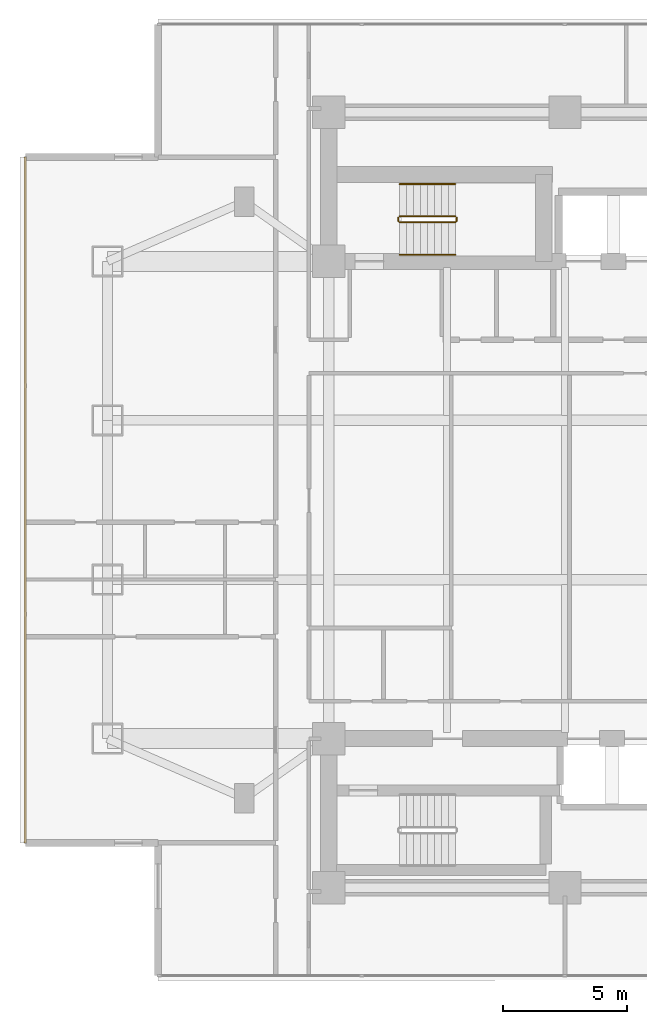
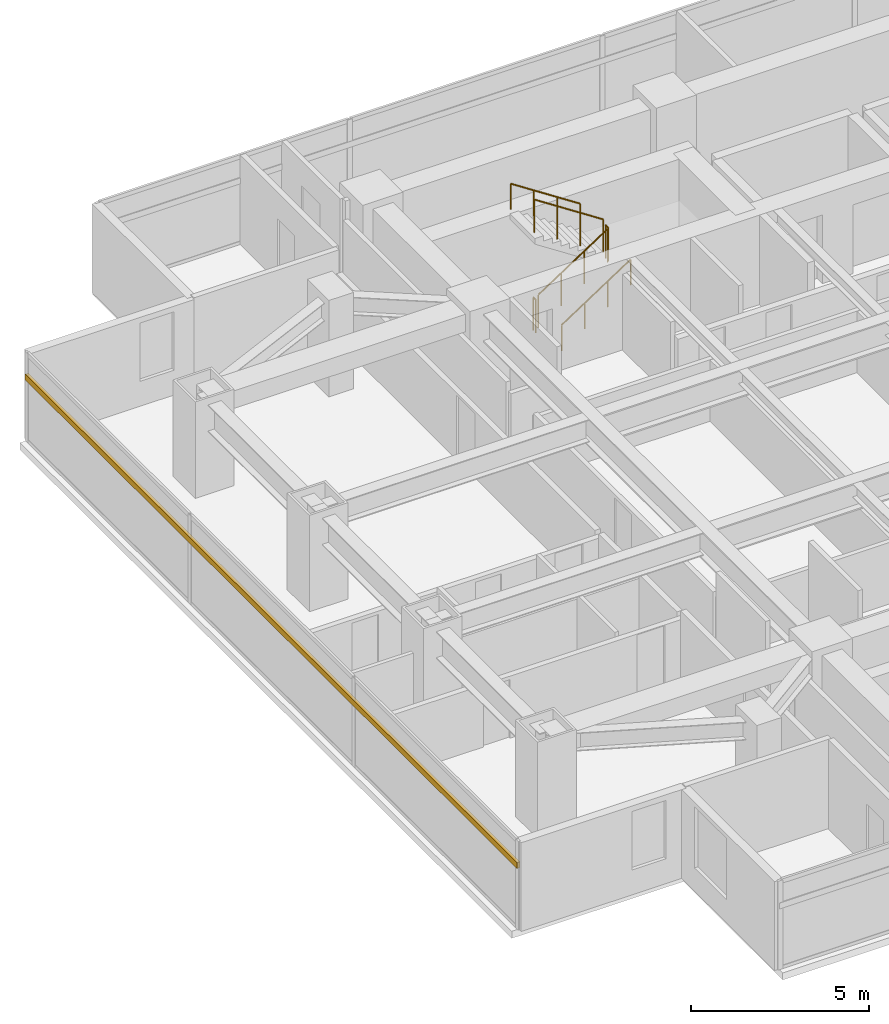
# One storey, part 21 of 24: 6 railings, 1 shading device.
"""IFC4 building model written with IfcOpenShell, lengths in metres."""

from ifc_helpers import new_model, si_unit, direction, frame, origin, origin_2d, place, context, subcontext, project, spatial, rectangle, circle, extrude, material, material_profile, profile_set, type_object, element, save


model = new_model("IFC4")

# Units and contexts
model_context = context("Model", 3, precision=1e-05, world=origin(), true_north=direction((0.0, 1.0)))
body_context = subcontext(model_context, "Body", "Model", "MODEL_VIEW")
ifc_project = project(units=[si_unit("LENGTHUNIT", "METRE"), si_unit("AREAUNIT", "SQUARE_METRE"), si_unit("VOLUMEUNIT", "CUBIC_METRE"), si_unit("PLANEANGLEUNIT", "RADIAN"), si_unit("MASSUNIT", "GRAM", prefix="KILO")], contexts=[model_context])

# Site, building, storey
site_placement = place(None, origin())
site = spatial("IfcSite", under=ifc_project, at=site_placement, CompositionType="ELEMENT")
building_placement = place(site_placement, origin())
building = spatial("IfcBuilding", under=site, at=building_placement, Name="Mirazonda Arch Towers", CompositionType="ELEMENT")
storey_placement = place(building_placement, frame((0.0, 0.0, 65.300048828125)))
storey = spatial("IfcBuildingStorey", under=building, at=storey_placement, Name="L18", CompositionType="ELEMENT", Elevation=65.300048828125)

# Shading device
ifc_material_1 = material(Name="Kiln-Fired Architectural Terracotta", Category="masonry")
ifc_material_profile = material_profile(ifc_material_1, rectangle(XDim=0.10009765625, YDim=0.199951171875, at=origin_2d()), Name="TERRA-BAG-100x200")
ifc_profile_set = profile_set([ifc_material_profile], Name="Kiln-Fired Architectural Terracotta")
shading_device_type = type_object("IfcShadingDeviceType", Name="BAGUETTE-2", PredefinedType="USERDEFINED", material=ifc_profile_set)
shading_device_placement = place(storey_placement, frame((-1.199951171875, 41.7919921875, 2.188720703125), z_axis=(0.0, -1.0, 0.0), x_axis=(1.0, 0.0, 0.0)))
element("IfcShadingDevice", 1, at=shading_device_placement, inside=storey, type_object=shading_device_type, Name="L18 Glazed Terracotta Sun-Screen Baguette CW-L18-T1-W", ObjectType="BAGUETTE", PredefinedType="USERDEFINED", context=body_context, shape_type="SweptSolid", body=[
    extrude(rectangle(XDim=0.10009765625, YDim=0.199951171875, at=origin_2d()), origin(), (0.0, 0.0, 1.0), 27.583984375),
])

# Railings
ifc_material_2 = material(Name="Architectural Brushed Steel S355", Category="steel")
railing_type_1 = type_object("IfcRailingType", Name="GUARD-STAIR-1120", PredefinedType="GUARDRAIL", material=ifc_material_2)
railing_1_placement = place(storey_placement, frame((13.85009765625, 39.169921875, 0.183349609375)))
element("IfcRailing", 2, at=railing_1_placement, inside=storey, type_object=railing_type_1, Name="L18 ST-T1N stair guard 1", PredefinedType="GUARDRAIL", context=body_context, shape_type="SweptSolid", body=[
    extrude(circle(Radius=0.02392578125, at=origin_2d()), frame((0.0, 0.0, 1.1259765625), z_axis=(0.836636935527, 0.0, 0.547757827979), x_axis=(0.0, 1.0, 0.0)), (0.0, 0.0, 1.0), 2.677490234375),
    extrude(circle(Radius=0.02099609375, at=origin_2d()), origin(), (0.0, 0.0, 1.0), 1.101806640625),
    extrude(circle(Radius=0.02099609375, at=origin_2d()), frame((0.74658203125, 0.0, 0.48876953125)), (0.0, 0.0, 1.0), 1.101806640625),
    extrude(circle(Radius=0.02099609375, at=origin_2d()), frame((1.493408203125, 0.0, 0.977783203125)), (0.0, 0.0, 1.0), 1.101806640625),
    extrude(circle(Radius=0.02099609375, at=origin_2d()), frame((2.239990234375, 0.0, 1.466552734375)), (0.0, 0.0, 1.0), 1.101806640625),
])
railing_2_placement = place(storey_placement, frame((16.139892578125, 39.219970703125, 1.64990234375)))
element("IfcRailing", 3, at=railing_2_placement, inside=storey, type_object=railing_type_1, Name="L18 ST-T1N stair guard 2", PredefinedType="GUARDRAIL", context=body_context, shape_type="SweptSolid", body=[
    extrude(circle(Radius=0.02392578125, at=origin_2d()), frame((0.0, 0.0, 1.1259765625), z_axis=(0.0, 1.0, 0.0), x_axis=(-1.0, 0.0, 0.0)), (0.0, 0.0, 1.0), 0.14013671875),
    extrude(circle(Radius=0.02099609375, at=origin_2d()), origin(), (0.0, 0.0, 1.0), 1.101806640625),
    extrude(circle(Radius=0.02099609375, at=origin_2d()), frame((0.0, 0.14013671875, 0.0)), (0.0, 0.0, 1.0), 1.101806640625),
])
railing_3_placement = place(storey_placement, frame((16.090087890625, 39.409912109375, 1.833251953125)))
element("IfcRailing", 4, at=railing_3_placement, inside=storey, type_object=railing_type_1, Name="L18 ST-T1N stair guard 3", PredefinedType="GUARDRAIL", context=body_context, shape_type="SweptSolid", body=[
    extrude(circle(Radius=0.02392578125, at=origin_2d()), frame((0.0, 0.0, 1.1259765625), z_axis=(-0.836595146698, 0.0, 0.547821650285), x_axis=(0.0, -1.0, 0.0)), (0.0, 0.0, 1.0), 2.677490234375),
    extrude(circle(Radius=0.02099609375, at=origin_2d()), origin(), (0.0, 0.0, 1.0), 1.101806640625),
    extrude(circle(Radius=0.02099609375, at=origin_2d()), frame((-0.74658203125, 0.0, 0.489013671875)), (0.0, 0.0, 1.0), 1.101806640625),
    extrude(circle(Radius=0.02099609375, at=origin_2d()), frame((-1.493408203125, 0.0, 0.977783203125)), (0.0, 0.0, 1.0), 1.101806640625),
    extrude(circle(Radius=0.02099609375, at=origin_2d()), frame((-2.239990234375, 0.0, 1.466796875)), (0.0, 0.0, 1.0), 1.101806640625),
])
railing_4_placement = place(storey_placement, frame((13.800048828125, 39.219970703125, 0.0)))
element("IfcRailing", 5, at=railing_4_placement, inside=storey, type_object=railing_type_1, Name="L18 ST-T1N stair guard 4", PredefinedType="GUARDRAIL", context=body_context, shape_type="SweptSolid", body=[
    extrude(circle(Radius=0.02392578125, at=origin_2d()), frame((0.0, 0.0, 1.1259765625), z_axis=(0.0, 1.0, 0.0), x_axis=(-1.0, 0.0, 0.0)), (0.0, 0.0, 1.0), 0.14013671875),
    extrude(circle(Radius=0.02099609375, at=origin_2d()), origin(), (0.0, 0.0, 1.0), 1.101806640625),
    extrude(circle(Radius=0.02099609375, at=origin_2d()), frame((0.0, 0.14013671875, 0.0)), (0.0, 0.0, 1.0), 1.101806640625),
])
railing_type_2 = type_object("IfcRailingType", Name="HANDRAIL-915", PredefinedType="HANDRAIL", material=ifc_material_2)
railing_5_placement = place(storey_placement, frame((13.85009765625, 37.8701171875, 0.183349609375)))
element("IfcRailing", 6, at=railing_5_placement, inside=storey, type_object=railing_type_2, Name="L18 ST-T1N stair handrail 1", PredefinedType="HANDRAIL", context=body_context, shape_type="SweptSolid", body=[
    extrude(circle(Radius=0.02392578125, at=origin_2d()), frame((0.0, 0.0, 0.8759765625), z_axis=(0.836636935527, 0.0, 0.547757827979), x_axis=(0.0, 1.0, 0.0)), (0.0, 0.0, 1.0), 2.677490234375),
    extrude(circle(Radius=0.02099609375, at=origin_2d()), origin(), (0.0, 0.0, 1.0), 0.851806640625),
    extrude(circle(Radius=0.02099609375, at=origin_2d()), frame((0.74658203125, 0.0, 0.48876953125)), (0.0, 0.0, 1.0), 0.851806640625),
    extrude(circle(Radius=0.02099609375, at=origin_2d()), frame((1.493408203125, 0.0, 0.977783203125)), (0.0, 0.0, 1.0), 0.851806640625),
    extrude(circle(Radius=0.02099609375, at=origin_2d()), frame((2.239990234375, 0.0, 1.466552734375)), (0.0, 0.0, 1.0), 0.851806640625),
])
railing_6_placement = place(storey_placement, frame((16.090087890625, 40.7099609375, 1.833251953125)))
element("IfcRailing", 7, at=railing_6_placement, inside=storey, type_object=railing_type_2, Name="L18 ST-T1N stair handrail 2", PredefinedType="HANDRAIL", context=body_context, shape_type="SweptSolid", body=[
    extrude(circle(Radius=0.02392578125, at=origin_2d()), frame((0.0, 0.0, 0.8759765625), z_axis=(-0.836595146698, 0.0, 0.547821650285), x_axis=(0.0, -1.0, 0.0)), (0.0, 0.0, 1.0), 2.677490234375),
    extrude(circle(Radius=0.02099609375, at=origin_2d()), origin(), (0.0, 0.0, 1.0), 0.851806640625),
    extrude(circle(Radius=0.02099609375, at=origin_2d()), frame((-0.74658203125, 0.0, 0.489013671875)), (0.0, 0.0, 1.0), 0.851806640625),
    extrude(circle(Radius=0.02099609375, at=origin_2d()), frame((-1.493408203125, 0.0, 0.977783203125)), (0.0, 0.0, 1.0), 0.851806640625),
    extrude(circle(Radius=0.02099609375, at=origin_2d()), frame((-2.239990234375, 0.0, 1.466796875)), (0.0, 0.0, 1.0), 0.851806640625),
])

save(model, "model.ifc")
